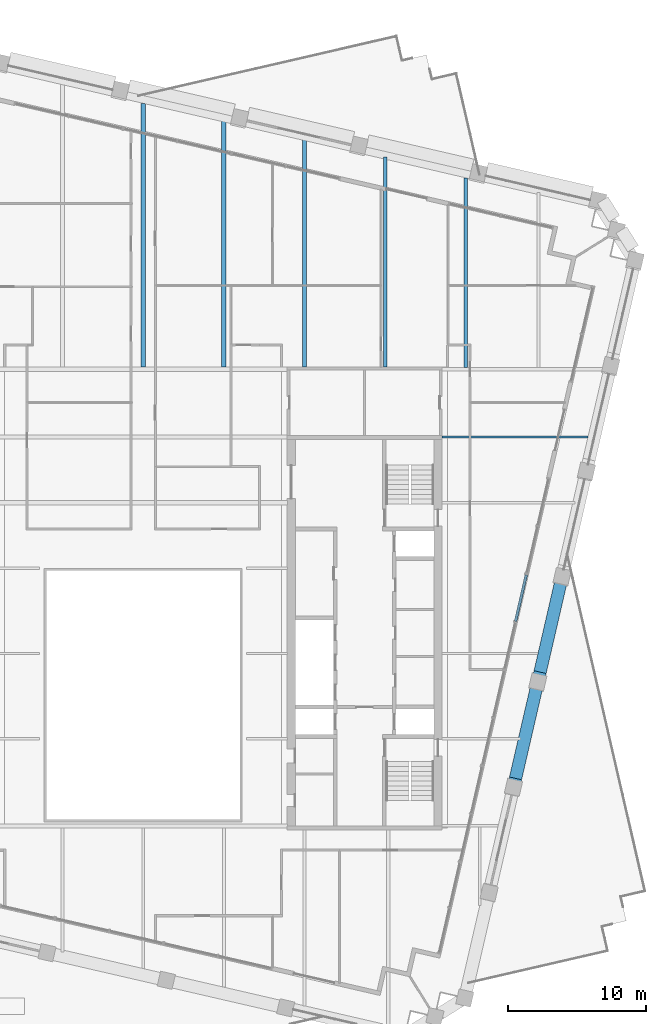
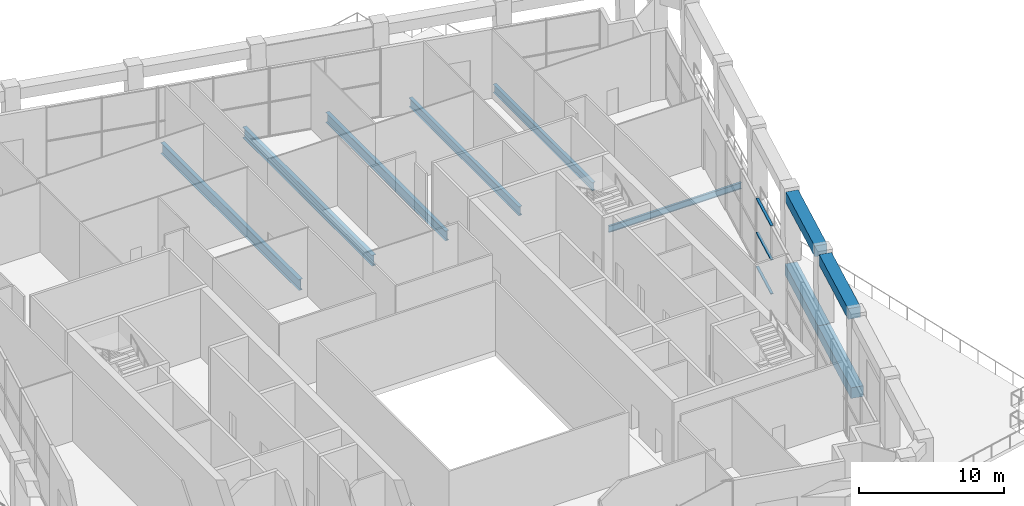
# One storey, part 6 of 21: 10 beams, 3 members, 1 element without a shape of its own.
"""IFC4 building model written with IfcOpenShell, lengths in metres."""

from ifc_helpers import new_model, si_unit, direction, frame, origin, origin_2d, place, context, subcontext, project, spatial, rectangle, i_section, extrude, material, material_profile, profile_set, type_object, element, aggregate, save


model = new_model("IFC4")

# Units and contexts
model_context = context("Model", 3, precision=1e-05, world=origin(), true_north=direction((0.0, 1.0)))
body_context = subcontext(model_context, "Body", "Model", "MODEL_VIEW")
ifc_project = project(units=[si_unit("LENGTHUNIT", "METRE"), si_unit("AREAUNIT", "SQUARE_METRE"), si_unit("VOLUMEUNIT", "CUBIC_METRE"), si_unit("PLANEANGLEUNIT", "RADIAN"), si_unit("MASSUNIT", "GRAM", prefix="KILO")], contexts=[model_context])

# Site, building, storey
site_placement = place(None, origin())
site = spatial("IfcSite", under=ifc_project, at=site_placement, CompositionType="ELEMENT")
building_placement = place(site_placement, origin())
building = spatial("IfcBuilding", under=site, at=building_placement, Name="Ogive Exchange Tower", CompositionType="ELEMENT")
storey_placement = place(building_placement, frame((0.0, 0.0, 237.0)))
storey = spatial("IfcBuildingStorey", under=building, at=storey_placement, Name="L51", CompositionType="ELEMENT", Elevation=237.0)

# Beams
ifc_material_1 = material(Name="Steel ASTM A992 Gr50", Category="steel")
ifc_material_profile_1 = material_profile(ifc_material_1, i_section(OverallWidth=0.1669921875, OverallDepth=0.535888671875, WebThickness=0.01025390625, FlangeThickness=0.0166015625, at=origin_2d()), Name="W530x85")
ifc_profile_set_1 = profile_set([ifc_material_profile_1], Name="Steel ASTM A992 Gr50")
beam_type_1 = type_object("IfcBeamType", Name="Floor beam W530x85", PredefinedType="JOIST", material=ifc_profile_set_1)
beam_1_placement = place(storey_placement, frame((21.580078125, 25.64501953125, -0.718017578125), z_axis=(1.0, 0.0, 0.0), x_axis=(0.0, 1.0, 0.0)))
element("IfcBeam", 1, at=beam_1_placement, inside=storey, type_object=beam_type_1, Name="Floor beam", PredefinedType="JOIST", context=body_context, shape_type="SweptSolid", body=[
    extrude(i_section(OverallWidth=0.1669921875, OverallDepth=0.535888671875, WebThickness=0.01025390625, FlangeThickness=0.0166015625, at=origin_2d()), origin(), (0.0, 0.0, 1.0), 10.55078125),
])
ifc_material_profile_2 = material_profile(ifc_material_1, i_section(OverallWidth=0.25390625, OverallDepth=0.677978515625, WebThickness=0.01171875, FlangeThickness=0.016357421875, at=origin_2d()), Name="W690x125")
ifc_profile_set_2 = profile_set([ifc_material_profile_2], Name="Steel ASTM A992 Gr50")
beam_type_2 = type_object("IfcBeamType", Name="Floor beam W690x125", PredefinedType="JOIST", material=ifc_profile_set_2)
beam_2_placement = place(storey_placement, frame((23.319091796875, 30.672119140625, -0.7890625), z_axis=(0.0, 1.0, 0.0), x_axis=(-1.0, 0.0, 0.0)))
element("IfcBeam", 2, at=beam_2_placement, inside=storey, type_object=beam_type_2, Name="Floor beam", PredefinedType="JOIST", context=body_context, shape_type="SweptSolid", body=[
    extrude(i_section(OverallWidth=0.25390625, OverallDepth=0.677978515625, WebThickness=0.01171875, FlangeThickness=0.016357421875, at=origin_2d()), origin(), (0.0, 0.0, 1.0), 13.695068359375),
])
ifc_material_profile_3 = material_profile(ifc_material_1, i_section(OverallWidth=0.26708984375, OverallDepth=0.75390625, WebThickness=0.01318359375, FlangeThickness=0.01708984375, at=origin_2d()), Name="W760x147")
ifc_profile_set_3 = profile_set([ifc_material_profile_3], Name="Steel ASTM A992 Gr50")
beam_type_3 = type_object("IfcBeamType", Name="Floor beam W760x147", PredefinedType="JOIST", material=ifc_profile_set_3)
beam_3_placement = place(storey_placement, frame((17.489501953125, 30.699951171875, -0.826904296875), z_axis=(0.0, 1.0, 0.0), x_axis=(-1.0, 0.0, 0.0)))
element("IfcBeam", 3, at=beam_3_placement, inside=storey, type_object=beam_type_3, Name="Floor beam", PredefinedType="JOIST", context=body_context, shape_type="SweptSolid", body=[
    extrude(i_section(OverallWidth=0.26708984375, OverallDepth=0.75390625, WebThickness=0.01318359375, FlangeThickness=0.01708984375, at=origin_2d()), origin(), (0.0, 0.0, 1.0), 15.163330078125),
])
ifc_material_profile_4 = material_profile(ifc_material_1, i_section(OverallWidth=0.2919921875, OverallDepth=0.8359375, WebThickness=0.013916015625, FlangeThickness=0.018798828125, at=origin_2d()), Name="W840x176")
ifc_profile_set_4 = profile_set([ifc_material_profile_4], Name="Steel ASTM A992 Gr50")
beam_type_4 = type_object("IfcBeamType", Name="Floor beam W840x176", PredefinedType="JOIST", material=ifc_profile_set_4)
beam_4_placement = place(storey_placement, frame((11.65966796875, 30.699951171875, -0.867919921875), z_axis=(0.0, 1.0, 0.0), x_axis=(-1.0, 0.0, 0.0)))
element("IfcBeam", 4, at=beam_4_placement, inside=storey, type_object=beam_type_4, Name="Floor beam", PredefinedType="JOIST", context=body_context, shape_type="SweptSolid", body=[
    extrude(i_section(OverallWidth=0.2919921875, OverallDepth=0.8359375, WebThickness=0.013916015625, FlangeThickness=0.018798828125, at=origin_2d()), origin(), (0.0, 0.0, 1.0), 16.509033203125),
])
ifc_material_profile_5 = material_profile(ifc_material_1, i_section(OverallWidth=0.304931640625, OverallDepth=0.904052734375, WebThickness=0.01513671875, FlangeThickness=0.02001953125, at=origin_2d()), Name="W920x201")
ifc_profile_set_5 = profile_set([ifc_material_profile_5], Name="Steel ASTM A992 Gr50")
beam_type_5 = type_object("IfcBeamType", Name="Floor beam W920x201", PredefinedType="JOIST", material=ifc_profile_set_5)
beam_5_placement = place(storey_placement, frame((5.829833984375, 30.695068359375, -0.902099609375), z_axis=(0.0, 1.0, 0.0), x_axis=(-1.0, 0.0, 0.0)))
element("IfcBeam", 5, at=beam_5_placement, inside=storey, type_object=beam_type_5, Name="Floor beam", PredefinedType="JOIST", context=body_context, shape_type="SweptSolid", body=[
    extrude(i_section(OverallWidth=0.304931640625, OverallDepth=0.904052734375, WebThickness=0.01513671875, FlangeThickness=0.02001953125, at=origin_2d()), origin(), (0.0, 0.0, 1.0), 17.85986328125),
])
ifc_material_profile_6 = material_profile(ifc_material_1, i_section(OverallWidth=0.304931640625, OverallDepth=0.9189453125, WebThickness=0.017333984375, FlangeThickness=0.02783203125, at=origin_2d()), Name="W920x253")
ifc_profile_set_6 = profile_set([ifc_material_profile_6], Name="Steel ASTM A992 Gr50")
beam_type_6 = type_object("IfcBeamType", Name="Floor beam W920x253", PredefinedType="JOIST", material=ifc_profile_set_6)
beam_6_placement = place(storey_placement, frame((0.0, 30.695068359375, -0.909423828125), z_axis=(0.0, 1.0, 0.0), x_axis=(-1.0, 0.0, 0.0)))
element("IfcBeam", 6, at=beam_6_placement, inside=storey, type_object=beam_type_6, Name="Floor beam", PredefinedType="JOIST", context=body_context, shape_type="SweptSolid", body=[
    extrude(i_section(OverallWidth=0.304931640625, OverallDepth=0.9189453125, WebThickness=0.017333984375, FlangeThickness=0.02783203125, at=origin_2d()), origin(), (0.0, 0.0, 1.0), 19.055908203125),
])
ifc_material_2 = material(Name="Precast concrete C70/85 (limestone faced)", Category="masonry")
ifc_material_profile_7 = material_profile(ifc_material_2, rectangle(XDim=0.89990234375, YDim=0.89990234375, at=origin_2d()), Name="900 x 900")
ifc_profile_set_7 = profile_set([ifc_material_profile_7], Name="Precast concrete C70/85 (limestone faced)")
beam_type_7 = type_object("IfcBeamType", Name="Precast spandrel 900 x 900 C70/85", PredefinedType="SPANDREL", material=ifc_profile_set_7)
beam_7_placement = place(storey_placement, frame((26.899658203125, 0.98583984375, 5.300048828125), z_axis=(0.22495365579, 0.97436946419, 0.0), x_axis=(-0.97436946419, 0.22495365579, 0.0)))
element("IfcBeam", 7, at=beam_7_placement, inside=storey, type_object=beam_type_7, Name="Spandrel 11", PredefinedType="SPANDREL", context=body_context, shape_type="SweptSolid", body=[
    extrude(rectangle(XDim=0.89990234375, YDim=0.89990234375, at=origin_2d()), origin(), (0.0, 0.0, 1.0), 6.81787109375),
])
beam_8_placement = place(storey_placement, frame((28.671875, 8.661865234375, 5.300048828125), z_axis=(0.224945807101, 0.974371276192, 0.0), x_axis=(-0.974371276192, 0.224945807101, 0.0)))
element("IfcBeam", 8, at=beam_8_placement, inside=storey, type_object=beam_type_7, Name="Spandrel 12", PredefinedType="SPANDREL", context=body_context, shape_type="SweptSolid", body=[
    extrude(rectangle(XDim=0.89990234375, YDim=0.89990234375, at=origin_2d()), origin(), (0.0, 0.0, 1.0), 6.818115234375),
])
ifc_material_profile_8 = material_profile(ifc_material_2, rectangle(XDim=0.89990234375, YDim=0.89990234375, at=origin_2d()), Name="900 x 900")
ifc_profile_set_8 = profile_set([ifc_material_profile_8], Name="Precast concrete C70/85 (limestone faced)")
beam_type_8 = type_object("IfcBeamType", Name="Precast transfer girder 900 x 900 C70/85", PredefinedType="BEAM", material=ifc_profile_set_8)
for number, where, z_axis, x_axis, name in (
    (9, (26.745361328125, 0.317626953125, -0.89990234375), (0.22495322987, 0.974369562523, 0.0), (-0.974369562523, 0.22495322987, 0.0), "Transfer girder 11"),
    (10, (28.5, 7.917724609375, -0.89990234375), (0.22495322987, 0.974369562523, 0.0), (-0.974369562523, 0.22495322987, 0.0), "Transfer girder 12"),
):
    element("IfcBeam", number, at=place(storey_placement, frame(where, z_axis=z_axis, x_axis=x_axis)), inside=storey, type_object=beam_type_8, Name=name, PredefinedType="BEAM", context=body_context, shape_type="SweptSolid", body=[
        extrude(rectangle(XDim=0.89990234375, YDim=0.89990234375, at=origin_2d()), origin(), (0.0, 0.0, 1.0), 7.800048828125),
    ])

# Curtain wall, members
ifc_material_3 = material(Name="Anodised aluminium and clear glass", Category="aluminium")
curtain_wall_type = type_object("IfcCurtainWallType", Name="Winter garden glazing", PredefinedType="NOTDEFINED", material=ifc_material_3)
curtain_wall_placement = place(storey_placement, origin())
curtain_wall = element("IfcCurtainWall", 11, at=curtain_wall_placement, inside=storey, type_object=curtain_wall_type, Name="Winter garden glazing run G10", PredefinedType="NOTDEFINED")
ifc_material_4 = material(Name="Anodised aluminium", Category="aluminium")
ifc_material_profile_9 = material_profile(ifc_material_4, rectangle(XDim=0.199951171875, YDim=0.080078125, at=origin_2d()), Name="AL 80x200")
ifc_profile_set_9 = profile_set([ifc_material_profile_9], Name="Anodised aluminium")
member_type = type_object("IfcMemberType", Name="Winter garden glazing transom 80 x 200", PredefinedType="USERDEFINED", material=ifc_profile_set_9)
member_1_placement = place(storey_placement, frame((26.901611328125, 12.330322265625, 0.0400390625), z_axis=(0.224947693018, 0.974370840802, 0.0), x_axis=(-0.974370840802, 0.224947693018, 0.0)))
member_1 = element("IfcMember", 12, at=member_1_placement, type_object=member_type, Name="G10 transom 2.1", ObjectType="TRANSOM", PredefinedType="USERDEFINED", context=body_context, shape_type="SweptSolid", body=[
    extrude(rectangle(XDim=0.199951171875, YDim=0.080078125, at=origin_2d()), origin(), (0.0, 0.0, 1.0), 3.437255859375),
])
member_2_placement = place(storey_placement, frame((26.901611328125, 12.330322265625, 2.89990234375), z_axis=(0.224947693018, 0.974370840802, 0.0), x_axis=(-0.974370840802, 0.224947693018, 0.0)))
member_2 = element("IfcMember", 13, at=member_2_placement, type_object=member_type, Name="G10 transom 2.2", ObjectType="TRANSOM", PredefinedType="USERDEFINED", context=body_context, shape_type="SweptSolid", body=[
    extrude(rectangle(XDim=0.199951171875, YDim=0.080078125, at=origin_2d()), origin(), (0.0, 0.0, 1.0), 3.437255859375),
])
member_3_placement = place(storey_placement, frame((26.901611328125, 12.330322265625, 5.760009765625), z_axis=(0.224947693018, 0.974370840802, 0.0), x_axis=(-0.974370840802, 0.224947693018, 0.0)))
member_3 = element("IfcMember", 14, at=member_3_placement, type_object=member_type, Name="G10 transom 2.3", ObjectType="TRANSOM", PredefinedType="USERDEFINED", context=body_context, shape_type="SweptSolid", body=[
    extrude(rectangle(XDim=0.199951171875, YDim=0.080078125, at=origin_2d()), origin(), (0.0, 0.0, 1.0), 3.437255859375),
])
aggregate(curtain_wall, [member_1, member_2, member_3])

save(model, "model.ifc")
